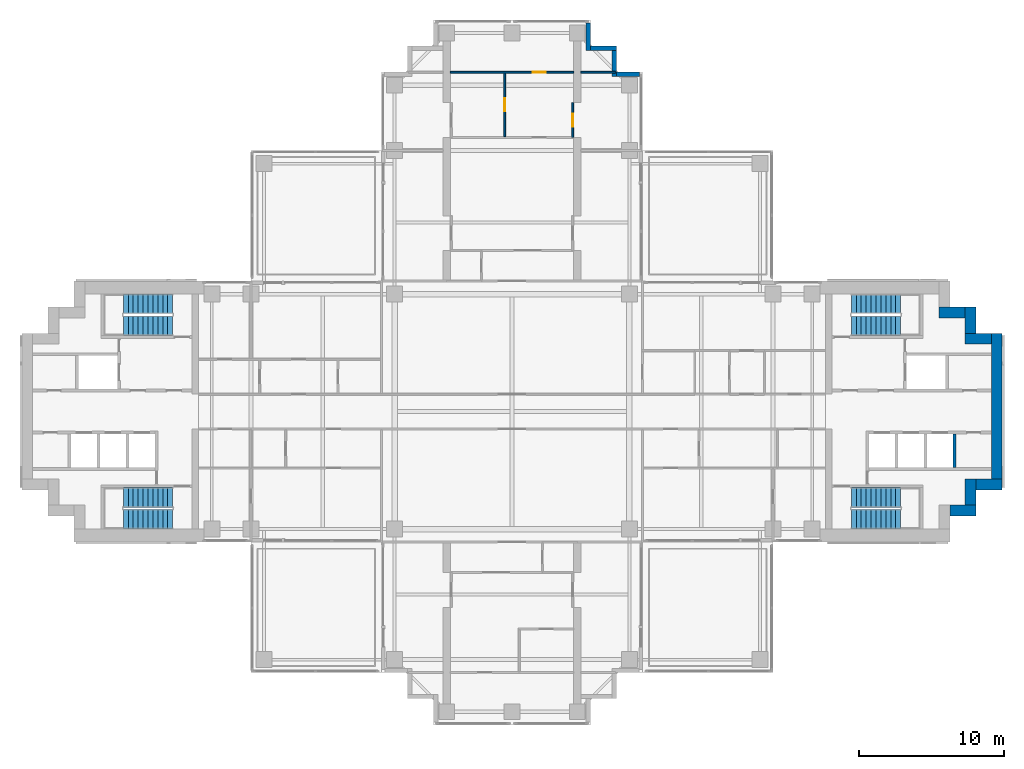
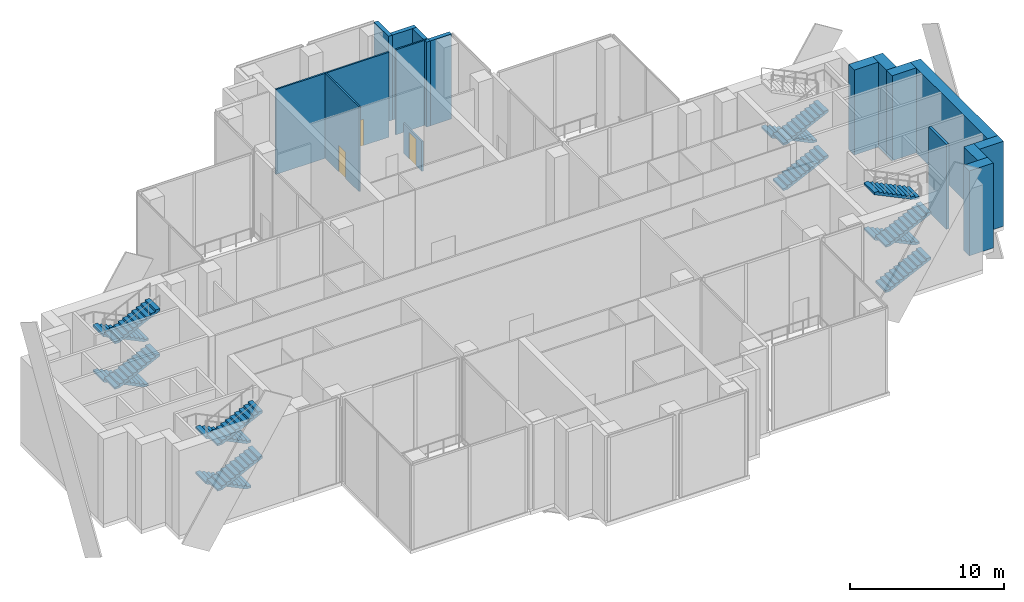
# One storey, part 13 of 17: 16 walls, 15 stair flights, 3 doors, 3 openings, 4 elements without a shape of their own.
"""IFC4 building model written with IfcOpenShell, lengths in metres."""

import ifcopenshell
import ifcopenshell.guid

model = None  # the IFC model being written
_history = None  # IfcOwnerHistory: only IFC2X3 demands one
_inside = {}  # id of a spatial element -> (the spatial element, [elements in it])
_under = {}  # id of a project, library or spatial element -> (it, [spatial elements below it])
_declared = {}  # id of a project -> (the project, [libraries it declares])
_typed = {}  # id of a type object -> (the type object, [elements of that type])
_made_of = {}  # id of a material, layer set ... -> (it, [elements and type objects made of it])


def new_model(schema):
    """Start an empty IFC model of exactly this schema.

    Asked for "IFC4X3", IfcOpenShell would pick the latest addendum, in which some entities
    have other attributes; the version numbers below select the first issue.
    IFC2X3 requires an IfcOwnerHistory on every rooted entity: one is made here for all.
    """
    global model, _history
    if schema == "IFC4X3":
        model = ifcopenshell.file(schema_version=(4, 3, 0, 0))
    else:
        model = ifcopenshell.file(schema=schema)
    _inside.clear()
    _under.clear()
    _declared.clear()
    _typed.clear()
    _made_of.clear()
    _history = None
    if model.schema == "IFC2X3":
        org = make("IfcOrganization", Name="unknown")
        user = make(
            "IfcPersonAndOrganization",
            ThePerson=make("IfcPerson", FamilyName="unknown"),
            TheOrganization=org,
        )
        app = make(
            "IfcApplication",
            ApplicationDeveloper=org,
            Version="unknown",
            ApplicationFullName="unknown",
            ApplicationIdentifier="unknown",
        )
        _history = make(
            "IfcOwnerHistory",
            OwningUser=user,
            OwningApplication=app,
            ChangeAction="ADDED",
            CreationDate=0,
        )
    return model


def make(cls, **values):
    """One entity of the class cls with the attributes given. An attribute that is None is left unset."""
    return model.create_entity(
        cls, **{name: value for name, value in values.items() if value is not None}
    )


def rooted(cls, **values):
    """An entity with a GlobalId (a new one), such as an element, a storey or a relation."""
    return make(cls, GlobalId=ifcopenshell.guid.new(), OwnerHistory=_history, **values)


def si_unit(unit_type, name, prefix=None):
    """IfcSIUnit, for example si_unit("LENGTHUNIT", "METRE", prefix="MILLI")."""
    return make("IfcSIUnit", UnitType=unit_type, Prefix=prefix, Name=name)


def assignment(units):
    """IfcUnitAssignment: the units of a project."""
    return None if units is None else make("IfcUnitAssignment", Units=units)


def point(xyz):
    """IfcCartesianPoint."""
    return None if xyz is None else make("IfcCartesianPoint", Coordinates=xyz)


def direction(xyz):
    """IfcDirection."""
    return None if xyz is None else make("IfcDirection", DirectionRatios=xyz)


def frame(location, z_axis=None, x_axis=None):
    """IfcAxis2Placement3D, a coordinate frame: its origin and axes. An axis left out is left unset."""
    return make(
        "IfcAxis2Placement3D",
        Location=point(location),
        Axis=direction(z_axis),
        RefDirection=direction(x_axis),
    )


def frame_2d(location, x_axis=None):
    """IfcAxis2Placement2D, a coordinate frame in the plane: its origin and x axis."""
    return make(
        "IfcAxis2Placement2D", Location=point(location), RefDirection=direction(x_axis)
    )


def origin():
    """The frame at (0, 0, 0) with its axes left unset."""
    return frame((0.0, 0.0, 0.0))


def place(relative_to, where):
    """IfcLocalPlacement: puts the frame where relative to a parent placement (None: the world)."""
    return make(
        "IfcLocalPlacement", PlacementRelTo=relative_to, RelativePlacement=where
    )


def context(
    kind, dimensions, precision=None, world=None, true_north=None, identifier=None
):
    """IfcGeometricRepresentationContext, for example the 3D "Model" context."""
    return make(
        "IfcGeometricRepresentationContext",
        ContextIdentifier=identifier,
        ContextType=kind,
        CoordinateSpaceDimension=dimensions,
        Precision=precision,
        WorldCoordinateSystem=world,
        TrueNorth=true_north,
    )


def subcontext(parent, identifier, kind, view, scale=None):
    """IfcGeometricRepresentationSubContext, for example "Body" below "Model"."""
    return make(
        "IfcGeometricRepresentationSubContext",
        ContextIdentifier=identifier,
        ContextType=kind,
        ParentContext=parent,
        TargetScale=scale,
        TargetView=view,
    )


def project(units=None, contexts=None):
    """IfcProject with its units and contexts."""
    return rooted(
        "IfcProject",
        Name="project",
        RepresentationContexts=contexts,
        UnitsInContext=assignment(units),
    )


def spatial(cls, under=None, at=None, **own):
    """A site, building, storey or space (cls), placed at a placement, below another one or the project."""
    s = rooted(cls, ObjectPlacement=at, **own)
    if under is not None:
        _under.setdefault(under.id(), (under, []))[1].append(s)
    return s


def polyline(points):
    """IfcPolyline through the points."""
    return make("IfcPolyline", Points=[point(p) for p in points])


def profile(cls, at=None, kind="AREA", **sizes):
    """A parametric profile (cls). Its sizes go by their IFC names, for example OverallWidth=200.0."""
    return make(cls, ProfileType=kind, Position=at, **sizes)


def rectangle(**sizes):
    """IfcRectangleProfileDef."""
    return profile("IfcRectangleProfileDef", **sizes)


def outline(outer, holes=None, kind="AREA"):
    """IfcArbitraryClosedProfileDef: a profile drawn as a closed curve; with holes, ...WithVoids."""
    if holes is None:
        return make("IfcArbitraryClosedProfileDef", ProfileType=kind, OuterCurve=outer)
    return make(
        "IfcArbitraryProfileDefWithVoids",
        ProfileType=kind,
        OuterCurve=outer,
        InnerCurves=holes,
    )


def extrude(swept, where, along, depth):
    """IfcExtrudedAreaSolid: the profile swept, set in the frame where, extruded along a direction by depth."""
    return make(
        "IfcExtrudedAreaSolid",
        SweptArea=swept,
        Position=where,
        ExtrudedDirection=direction(along),
        Depth=depth,
    )


def shape(context_of_items, identifier, shape_type, items):
    """IfcShapeRepresentation: the items that make up one representation, for example the "Body"."""
    return make(
        "IfcShapeRepresentation",
        ContextOfItems=context_of_items,
        RepresentationIdentifier=identifier,
        RepresentationType=shape_type,
        Items=items,
    )


def material(Name=None, Category=None):
    """IfcMaterial."""
    return make("IfcMaterial", Name=Name, Category=Category)


def layer(
    of_material, thickness, ventilated=None, Name=None, Category=None, Priority=None
):
    """IfcMaterialLayer: one layer of a wall or slab, of a material (None: an air gap)."""
    return make(
        "IfcMaterialLayer",
        Material=of_material,
        LayerThickness=thickness,
        IsVentilated=ventilated,
        Name=Name,
        Category=Category,
        Priority=Priority,
    )


def layer_set(layers, Name=None):
    """IfcMaterialLayerSet."""
    return make("IfcMaterialLayerSet", MaterialLayers=layers, LayerSetName=Name)


def made_of(thing, what):
    """Note that an element or type object is made of a material, layer set ...; save() writes the relation."""
    if what is not None:
        _made_of.setdefault(what.id(), (what, []))[1].append(thing)
    return thing


def type_object(cls, material=None, **own):
    """A type object (cls), such as IfcWallType, which elements share."""
    return made_of(rooted(cls, **own), material)


def element(
    cls,
    number,
    at=None,
    inside=None,
    cuts=None,
    type_object=None,
    material=None,
    context=None,
    identifier="Body",
    shape_type=None,
    held_by="IfcProductDefinitionShape",
    body=None,
    shapes=None,
    **own,
):
    """One element of the class cls, such as IfcWall. Its Tag is "e" and its number.

    at: its placement. inside: the storey or other place that contains it. cuts: it is an
    opening in that element (IfcRelVoidsElement). A single representation is given by context,
    identifier, shape_type and body (its items); several are given by shapes. held_by: the class
    of the entity that holds the representations. save() writes the other relations.
    """
    e = rooted(cls, Tag="e%d" % number, ObjectPlacement=at, **own)
    if body is not None:
        shapes = [shape(context, identifier, shape_type, body)]
    if shapes is not None:
        e.Representation = make(held_by, Representations=shapes)
    if inside is not None:
        _inside.setdefault(inside.id(), (inside, []))[1].append(e)
    if cuts is not None:
        rooted(
            "IfcRelVoidsElement", RelatingBuildingElement=cuts, RelatedOpeningElement=e
        )
    if type_object is not None:
        _typed.setdefault(type_object.id(), (type_object, []))[1].append(e)
    return made_of(e, material)


def fill(opening, filler):
    """IfcRelFillsElement: the door or window that sits in an opening."""
    return rooted(
        "IfcRelFillsElement",
        RelatingOpeningElement=opening,
        RelatedBuildingElement=filler,
    )


def aggregate(whole, parts):
    """IfcRelAggregates: a whole, such as a stair, and the parts it consists of."""
    return rooted("IfcRelAggregates", RelatingObject=whole, RelatedObjects=parts)


def save(model, path):
    """Write the relations noted so far, then the file.

    IfcRelAggregates (storeys below a building ...), IfcRelContainedInSpatialStructure (elements
    in a storey), IfcRelDefinesByType, IfcRelAssociatesMaterial and IfcRelDeclares: one each for
    every whole, place, type object, material and project.
    """
    for whole, parts in _under.values():
        aggregate(whole, parts)
    for where, things in _inside.values():
        rooted(
            "IfcRelContainedInSpatialStructure",
            RelatedElements=things,
            RelatingStructure=where,
        )
    for kind, things in _typed.values():
        rooted("IfcRelDefinesByType", RelatedObjects=things, RelatingType=kind)
    for what, things in _made_of.values():
        rooted("IfcRelAssociatesMaterial", RelatedObjects=things, RelatingMaterial=what)
    for by, libraries in _declared.values():
        rooted("IfcRelDeclares", RelatingContext=by, RelatedDefinitions=libraries)
    model.write(path)


model = new_model("IFC4")

# Units and contexts
model_context = context("Model", 3, precision=1e-05, world=origin(), true_north=direction((0.0, 1.0)))
body_context = subcontext(model_context, "Body", "Model", "MODEL_VIEW")
ifc_project = project(units=[si_unit("LENGTHUNIT", "METRE"), si_unit("AREAUNIT", "SQUARE_METRE"), si_unit("VOLUMEUNIT", "CUBIC_METRE"), si_unit("PLANEANGLEUNIT", "RADIAN"), si_unit("MASSUNIT", "GRAM", prefix="KILO")], contexts=[model_context])

# Site, building, storey
site_placement = place(None, origin())
site = spatial("IfcSite", under=ifc_project, at=site_placement, CompositionType="ELEMENT")
building_placement = place(site_placement, origin())
building = spatial("IfcBuilding", under=site, at=building_placement, Name="Perihelion Cross Residences", CompositionType="ELEMENT")
storey_placement = place(building_placement, frame((0.0, 0.0, 154.89990234375)))
storey = spatial("IfcBuildingStorey", under=building, at=storey_placement, Name="L38", CompositionType="ELEMENT", Elevation=154.89990234375)

# Walls
ifc_material_1 = material(Name="Concrete C30/37, bronze-clad", Category="concrete")
ifc_layer_1 = layer(ifc_material_1, 0.300048828125)
ifc_layer_set_1 = layer_set([ifc_layer_1], Name="Bronze-clad serration wall 300")
wall_type_1 = type_object("IfcWallType", Name="Bronze-clad serration wall 300", PredefinedType="SOLIDWALL", material=ifc_layer_set_1)
wall_1_placement = place(storey_placement, frame((8.7900390625, 23.25, 0.0), z_axis=(0.0, 0.0, 1.0), x_axis=(-1.0, 0.0, 0.0)))
element("IfcWall", 1, at=wall_1_placement, inside=storey, type_object=wall_type_1, Name="Wall SR1 L38 north corner north-east 1", PredefinedType="SOLIDWALL", context=body_context, shape_type="SweptSolid", body=[
    extrude(rectangle(XDim=1.590087890625, YDim=0.300048828125, at=frame_2d((0.794921875, 0.0))), origin(), (0.0, 0.0, 1.0), 6.75),
])
wall_2_placement = place(storey_placement, frame((7.050048828125, 23.10009765625, 0.0), z_axis=(0.0, 0.0, 1.0), x_axis=(0.0, 1.0, 0.0)))
element("IfcWall", 2, at=wall_2_placement, inside=storey, type_object=wall_type_1, Name="Wall SR1 L38 north corner north-east 2", PredefinedType="SOLIDWALL", context=body_context, shape_type="SweptSolid", body=[
    extrude(rectangle(XDim=1.7998046875, YDim=0.300048828125, at=frame_2d((0.89990234375, 0.0))), origin(), (0.0, 0.0, 1.0), 6.75),
])
wall_3_placement = place(storey_placement, frame((7.199951171875, 25.050048828125, 0.0), z_axis=(0.0, 0.0, 1.0), x_axis=(-1.0, 0.0, 0.0)))
element("IfcWall", 3, at=wall_3_placement, inside=storey, type_object=wall_type_1, Name="Wall SR1 L38 north corner north-east 3", PredefinedType="SOLIDWALL", context=body_context, shape_type="SweptSolid", body=[
    extrude(rectangle(XDim=1.800048828125, YDim=0.300048828125, at=frame_2d((0.89990234375, 0.0))), origin(), (0.0, 0.0, 1.0), 6.75),
])
wall_4_placement = place(storey_placement, frame((5.25, 24.89990234375, 0.0), z_axis=(0.0, 0.0, 1.0), x_axis=(0.0, 1.0, 0.0)))
element("IfcWall", 4, at=wall_4_placement, inside=storey, type_object=wall_type_1, Name="Wall SR1 L38 north corner north-east 4", PredefinedType="SOLIDWALL", context=body_context, shape_type="SweptSolid", body=[
    extrude(rectangle(XDim=1.89013671875, YDim=0.300048828125, at=frame_2d((0.945068359375, 0.0))), origin(), (0.0, 0.0, 1.0), 6.75),
])
ifc_material_2 = material(Name="Concrete C60/75", Category="concrete")
ifc_layer_2 = layer(ifc_material_2, 0.75)
ifc_layer_set_2 = layer_set([ifc_layer_2], Name="Core wall, outer 750")
wall_type_2 = type_object("IfcWallType", Name="Core wall, outer 750", PredefinedType="SHEAR", material=ifc_layer_set_2)
for number, where, z_axis, x_axis, name in (
    (5, (30.199951171875, -6.824951171875, 0.0), (0.0, 0.0, 1.0), (1.0, 0.0, 0.0), "East core core wall, outer"),
    (6, (31.625, -6.449951171875, 0.0), (0.0, 0.0, 1.0), (0.0, 1.0, 0.0), "East core core wall, outer"),
    (7, (32.0, -5.02490234375, 0.0), (0.0, 0.0, 1.0), (1.0, 0.0, 0.0), "East core core wall, outer"),
):
    element("IfcWall", number, at=place(storey_placement, frame(where, z_axis=z_axis, x_axis=x_axis)), inside=storey, type_object=wall_type_2, Name=name, PredefinedType="SHEAR", context=body_context, shape_type="SweptSolid", body=[
        extrude(rectangle(XDim=1.800048828125, YDim=0.75, at=frame_2d((0.89990234375, 0.0))), origin(), (0.0, 0.0, 1.0), 6.75),
    ])
wall_5_placement = place(storey_placement, frame((33.425048828125, -4.64990234375, 0.0), z_axis=(0.0, 0.0, 1.0), x_axis=(0.0, 1.0, 0.0)))
element("IfcWall", 8, at=wall_5_placement, inside=storey, type_object=wall_type_2, Name="East core core wall, outer", PredefinedType="SHEAR", context=body_context, shape_type="SweptSolid", body=[
    extrude(rectangle(XDim=10.0498046875, YDim=0.75, at=frame_2d((5.02490234375, 0.0))), origin(), (0.0, 0.0, 1.0), 6.75),
])
for number, where, z_axis, x_axis, name in (
    (9, (31.25, 5.02490234375, 0.0), (0.0, 0.0, 1.0), (1.0, 0.0, 0.0), "East core core wall, outer"),
    (10, (31.625, 5.39990234375, 0.0), (0.0, 0.0, 1.0), (0.0, 1.0, 0.0), "East core core wall, outer"),
    (11, (29.449951171875, 6.824951171875, 0.0), (0.0, 0.0, 1.0), (1.0, 0.0, 0.0), "East core core wall, outer"),
):
    element("IfcWall", number, at=place(storey_placement, frame(where, z_axis=z_axis, x_axis=x_axis)), inside=storey, type_object=wall_type_2, Name=name, PredefinedType="SHEAR", context=body_context, shape_type="SweptSolid", body=[
        extrude(rectangle(XDim=1.800048828125, YDim=0.75, at=frame_2d((0.89990234375, 0.0))), origin(), (0.0, 0.0, 1.0), 6.75),
    ])

# Wall, opening, door
ifc_material_3 = material(Name="Plasterboard partition")
ifc_layer_3 = layer(ifc_material_3, 0.1201171875)
ifc_layer_set_3 = layer_set([ifc_layer_3], Name="Infill panel 120")
wall_type_3 = type_object("IfcWallType", Name="Infill panel 120", PredefinedType="PARTITIONING", material=ifc_layer_set_3)
wall_6_placement = place(storey_placement, frame((4.18994140625, 18.89990234375, 0.0), z_axis=(0.0, 0.0, 1.0), x_axis=(0.0, 1.0, 0.0)))
wall_6 = element("IfcWall", 12, at=wall_6_placement, inside=storey, type_object=wall_type_3, Name="Partition L38 WI02", PredefinedType="PARTITIONING", context=body_context, shape_type="SweptSolid", body=[
    extrude(rectangle(XDim=2.400146484375, YDim=0.1201171875, at=frame_2d((1.2001953125, 0.0))), origin(), (0.0, 0.0, 1.0), 2.400146484375),
])
opening_1_placement = place(wall_6_placement, frame((0.75, 0.0, 0.0)))
opening_1 = element("IfcOpeningElement", 13, at=opening_1_placement, cuts=wall_6, Name="Opening L38.A35", PredefinedType="OPENING", context=body_context, shape_type="SweptSolid", body=[
    extrude(rectangle(XDim=0.89990234375, YDim=2.10009765625, at=frame_2d((0.449951171875, 1.050048828125))), frame((0.0, 0.070068359375, 0.0), z_axis=(0.0, -1.0, 0.0), x_axis=(1.0, 0.0, 0.0)), (0.0, 0.0, 1.0), 0.14013671875),
])
ifc_material_4 = material(Name="Timber door leaf", Category="wood")
door_type = type_object("IfcDoorType", Name="Interior room door 900 x 2100", OperationType="SINGLE_SWING_LEFT", PredefinedType="DOOR", material=ifc_material_4)
door_1_placement = place(opening_1_placement, origin())
door_1 = element("IfcDoor", 14, at=door_1_placement, inside=storey, type_object=door_type, Name="Door L38.A35", OperationType="SINGLE_SWING_LEFT", OverallHeight=2.10009765625, OverallWidth=0.89990234375, PredefinedType="DOOR", context=body_context, shape_type="SweptSolid", body=[
    extrude(rectangle(XDim=0.89990234375, YDim=2.10009765625, at=frame_2d((0.449951171875, 1.050048828125))), frame((0.0, 0.02490234375, 0.0), z_axis=(0.0, -1.0, 0.0), x_axis=(1.0, 0.0, 0.0)), (0.0, 0.0, 1.0), 0.050048828125),
])
fill(opening_1, door_1)

ifc_material_5 = material(Name="Plasterboard partition")
ifc_layer_4 = layer(ifc_material_5, 0.1201171875)
ifc_layer_set_4 = layer_set([ifc_layer_4], Name="Partition wall 120")
wall_type_4 = type_object("IfcWallType", Name="Partition wall 120", PredefinedType="PARTITIONING", material=ifc_layer_set_4)
wall_7_placement = place(storey_placement, frame((-0.5, 18.9599609375, 0.0), z_axis=(0.0, 0.0, 1.0), x_axis=(0.0, 1.0, 0.0)))
wall_7 = element("IfcWall", 15, at=wall_7_placement, inside=storey, type_object=wall_type_4, Name="Partition L38 W043", PredefinedType="PARTITIONING", context=body_context, shape_type="SweptSolid", body=[
    extrude(rectangle(XDim=4.380126953125, YDim=0.1201171875, at=frame_2d((2.18994140625, 0.0))), origin(), (0.0, 0.0, 1.0), 6.75),
])
opening_2_placement = place(wall_7_placement, frame((1.739990234375, 0.0, 0.0)))
opening_2 = element("IfcOpeningElement", 16, at=opening_2_placement, cuts=wall_7, Name="Opening L38.A27", PredefinedType="OPENING", context=body_context, shape_type="SweptSolid", body=[
    extrude(rectangle(XDim=0.89990234375, YDim=2.10009765625, at=frame_2d((0.449951171875, 1.050048828125))), frame((0.0, 0.070068359375, 0.0), z_axis=(0.0, -1.0, 0.0), x_axis=(1.0, 0.0, 0.0)), (0.0, 0.0, 1.0), 0.14013671875),
])
door_2_placement = place(opening_2_placement, origin())
door_2 = element("IfcDoor", 17, at=door_2_placement, inside=storey, type_object=door_type, Name="Door L38.A27", OperationType="SINGLE_SWING_LEFT", OverallHeight=2.10009765625, OverallWidth=0.89990234375, PredefinedType="DOOR", context=body_context, shape_type="SweptSolid", body=[
    extrude(rectangle(XDim=0.89990234375, YDim=2.10009765625, at=frame_2d((0.449951171875, 1.050048828125))), frame((0.0, 0.02490234375, 0.0), z_axis=(0.0, -1.0, 0.0), x_axis=(1.0, 0.0, 0.0)), (0.0, 0.0, 1.0), 0.050048828125),
])
fill(opening_2, door_2)

wall_8_placement = place(storey_placement, frame((-4.25, 23.39990234375, 0.0), z_axis=(0.0, 0.0, 1.0), x_axis=(1.0, 0.0, 0.0)))
wall_8 = element("IfcWall", 18, at=wall_8_placement, inside=storey, type_object=wall_type_4, Name="Partition L38 W044", PredefinedType="PARTITIONING", context=body_context, shape_type="SweptSolid", body=[
    extrude(rectangle(XDim=8.5, YDim=0.1201171875, at=frame_2d((4.25, 0.0))), origin(), (0.0, 0.0, 1.0), 6.75),
])
opening_3_placement = place(wall_8_placement, frame((5.675048828125, 0.0, 0.0)))
opening_3 = element("IfcOpeningElement", 19, at=opening_3_placement, cuts=wall_8, Name="Opening L38.A28", PredefinedType="OPENING", context=body_context, shape_type="SweptSolid", body=[
    extrude(rectangle(XDim=0.89990234375, YDim=2.10009765625, at=frame_2d((0.449951171875, 1.050048828125))), frame((0.0, 0.070068359375, 0.0), z_axis=(0.0, -1.0, 0.0), x_axis=(1.0, 0.0, 0.0)), (0.0, 0.0, 1.0), 0.14013671875),
])
door_3_placement = place(opening_3_placement, origin())
door_3 = element("IfcDoor", 20, at=door_3_placement, inside=storey, type_object=door_type, Name="Door L38.A28", OperationType="SINGLE_SWING_RIGHT", OverallHeight=2.10009765625, OverallWidth=0.89990234375, PredefinedType="DOOR", context=body_context, shape_type="SweptSolid", body=[
    extrude(rectangle(XDim=0.89990234375, YDim=2.10009765625, at=frame_2d((0.449951171875, 1.050048828125))), frame((0.0, 0.02490234375, 0.0), z_axis=(0.0, -1.0, 0.0), x_axis=(1.0, 0.0, 0.0)), (0.0, 0.0, 1.0), 0.050048828125),
])
fill(opening_3, door_3)

# Walls
wall_9_placement = place(storey_placement, frame((4.75, 23.39990234375, 0.0), z_axis=(0.0, 0.0, 1.0), x_axis=(1.0, 0.0, 0.0)))
element("IfcWall", 21, at=wall_9_placement, inside=storey, type_object=wall_type_4, Name="Partition L38 W046", PredefinedType="PARTITIONING", context=body_context, shape_type="SweptSolid", body=[
    extrude(rectangle(XDim=2.3701171875, YDim=0.1201171875, at=frame_2d((1.18505859375, 0.0))), origin(), (0.0, 0.0, 1.0), 6.75),
])
ifc_material_6 = material(Name="Concrete C50/60", Category="concrete")
ifc_layer_5 = layer(ifc_material_6, 0.199951171875)
ifc_layer_set_5 = layer_set([ifc_layer_5], Name="Shaft wall 200")
wall_type_5 = type_object("IfcWallType", Name="Shaft wall 200", PredefinedType="SOLIDWALL", material=ifc_layer_set_5)
wall_10_placement = place(storey_placement, frame((30.5, -3.85009765625, 0.0), z_axis=(0.0, 0.0, 1.0), x_axis=(0.0, 1.0, 0.0)))
element("IfcWall", 22, at=wall_10_placement, inside=storey, type_object=wall_type_5, Name="East core shaft wall", PredefinedType="SOLIDWALL", context=body_context, shape_type="SweptSolid", body=[
    extrude(rectangle(XDim=2.300048828125, YDim=0.199951171875, at=frame_2d((1.14990234375, 0.0))), origin(), (0.0, 0.0, 1.0), 6.75),
])

# Stair, stair flights
ifc_material_7 = material(Name="Concrete C40/50", Category="concrete")
stair_type = type_object("IfcStairType", Name="Exit stair, half-turn", PredefinedType="HALF_TURN_STAIR", material=ifc_material_7)
stair_1_placement = place(storey_placement, origin())
stair_1 = element("IfcStair", 23, at=stair_1_placement, inside=storey, type_object=stair_type, Name="L38 East core exit stair 1", PredefinedType="HALF_TURN_STAIR")
ifc_material_8 = material(Name="Concrete C40/50", Category="concrete")
stair_flight_type = type_object("IfcStairFlightType", Name="Exit stair flight", PredefinedType="STRAIGHT", material=ifc_material_8)
stair_flight_1_placement = place(storey_placement, frame((23.39990234375, 5.925048828125, 0.0), z_axis=(0.0, 0.0, 1.0), x_axis=(1.0, 0.0, 0.0)))
stair_flight_1 = element("IfcStairFlight", 24, at=stair_flight_1_placement, type_object=stair_flight_type, Name="ST-E1 flight 1", NumberOfRisers=11, NumberOfTreads=10, PredefinedType="STRAIGHT", RiserHeight=0.163636364, TreadLength=0.34, context=body_context, shape_type="SweptSolid", body=[
    extrude(outline(polyline([(0.0, 0.0), (0.0, 0.16357421875), (0.340087890625, 0.16357421875), (0.340087890625, 0.327392578125), (0.679931640625, 0.327392578125), (0.679931640625, 0.490966796875), (1.02001953125, 0.490966796875), (1.02001953125, 0.654541015625), (1.360107421875, 0.654541015625), (1.360107421875, 0.818115234375), (1.699951171875, 0.818115234375), (1.699951171875, 0.98193359375), (2.0400390625, 0.98193359375), (2.0400390625, 1.1455078125), (2.3798828125, 1.1455078125), (2.3798828125, 1.30908203125), (2.719970703125, 1.30908203125), (2.719970703125, 1.47265625), (3.06005859375, 1.47265625), (3.06005859375, 1.636474609375), (3.39990234375, 1.636474609375), (3.39990234375, 1.800048828125), (3.39990234375, 1.469970703125), (0.345703125, 0.0), (0.0, 0.0)])), frame((0.0, 0.675048828125, 0.0), z_axis=(0.0, -1.0, 0.0), x_axis=(1.0, 0.0, 0.0)), (0.0, 0.0, 1.0), 1.35009765625),
])
stair_flight_2_placement = place(storey_placement, frame((26.800048828125, 7.425048828125, 1.800048828125), z_axis=(0.0, 0.0, 1.0), x_axis=(-1.0, 0.0, 0.0)))
stair_flight_2 = element("IfcStairFlight", 25, at=stair_flight_2_placement, type_object=stair_flight_type, Name="ST-E1 flight 2", NumberOfRisers=11, NumberOfTreads=10, PredefinedType="STRAIGHT", RiserHeight=0.163636364, TreadLength=0.34, context=body_context, shape_type="SweptSolid", body=[
    extrude(outline(polyline([(0.0, 0.0), (0.0, 0.16357421875), (0.340087890625, 0.16357421875), (0.340087890625, 0.327392578125), (0.679931640625, 0.327392578125), (0.679931640625, 0.490966796875), (1.02001953125, 0.490966796875), (1.02001953125, 0.654541015625), (1.360107421875, 0.654541015625), (1.360107421875, 0.818115234375), (1.699951171875, 0.818115234375), (1.699951171875, 0.98193359375), (2.0400390625, 0.98193359375), (2.0400390625, 1.1455078125), (2.3798828125, 1.1455078125), (2.3798828125, 1.30908203125), (2.719970703125, 1.30908203125), (2.719970703125, 1.47265625), (3.06005859375, 1.47265625), (3.06005859375, 1.636474609375), (3.39990234375, 1.636474609375), (3.39990234375, 1.800048828125), (3.39990234375, 1.469970703125), (0.345703125, 0.0), (0.0, 0.0)])), frame((0.0, 0.675048828125, 0.0), z_axis=(0.0, -1.0, 0.0), x_axis=(1.0, 0.0, 0.0)), (0.0, 0.0, 1.0), 1.35009765625),
])
stair_flight_3_placement = place(storey_placement, frame((23.39990234375, 5.925048828125, 3.60009765625), z_axis=(0.0, 0.0, 1.0), x_axis=(1.0, 0.0, 0.0)))
stair_flight_3 = element("IfcStairFlight", 26, at=stair_flight_3_placement, type_object=stair_flight_type, Name="ST-E1 flight 3", NumberOfRisers=11, NumberOfTreads=10, PredefinedType="STRAIGHT", RiserHeight=0.163636364, TreadLength=0.34, context=body_context, shape_type="SweptSolid", body=[
    extrude(outline(polyline([(0.0, 0.0), (0.0, 0.16357421875), (0.340087890625, 0.16357421875), (0.340087890625, 0.327392578125), (0.679931640625, 0.327392578125), (0.679931640625, 0.490966796875), (1.02001953125, 0.490966796875), (1.02001953125, 0.654541015625), (1.360107421875, 0.654541015625), (1.360107421875, 0.818115234375), (1.699951171875, 0.818115234375), (1.699951171875, 0.98193359375), (2.0400390625, 0.98193359375), (2.0400390625, 1.1455078125), (2.3798828125, 1.1455078125), (2.3798828125, 1.30908203125), (2.719970703125, 1.30908203125), (2.719970703125, 1.47265625), (3.06005859375, 1.47265625), (3.06005859375, 1.636474609375), (3.39990234375, 1.636474609375), (3.39990234375, 1.800048828125), (3.39990234375, 1.469970703125), (0.345703125, 0.0), (0.0, 0.0)])), frame((0.0, 0.675048828125, 0.0), z_axis=(0.0, -1.0, 0.0), x_axis=(1.0, 0.0, 0.0)), (0.0, 0.0, 1.0), 1.35009765625),
])
aggregate(stair_1, [stair_flight_1, stair_flight_2, stair_flight_3])

stair_2_placement = place(storey_placement, origin())
stair_2 = element("IfcStair", 27, at=stair_2_placement, inside=storey, type_object=stair_type, Name="L38 East core exit stair 2", PredefinedType="HALF_TURN_STAIR")
stair_flight_4_placement = place(storey_placement, frame((23.39990234375, -7.425048828125, 0.0), z_axis=(0.0, 0.0, 1.0), x_axis=(1.0, 0.0, 0.0)))
stair_flight_4 = element("IfcStairFlight", 28, at=stair_flight_4_placement, type_object=stair_flight_type, Name="ST-E2 flight 1", NumberOfRisers=11, NumberOfTreads=10, PredefinedType="STRAIGHT", RiserHeight=0.163636364, TreadLength=0.34, context=body_context, shape_type="SweptSolid", body=[
    extrude(outline(polyline([(0.0, 0.0), (0.0, 0.16357421875), (0.340087890625, 0.16357421875), (0.340087890625, 0.327392578125), (0.679931640625, 0.327392578125), (0.679931640625, 0.490966796875), (1.02001953125, 0.490966796875), (1.02001953125, 0.654541015625), (1.360107421875, 0.654541015625), (1.360107421875, 0.818115234375), (1.699951171875, 0.818115234375), (1.699951171875, 0.98193359375), (2.0400390625, 0.98193359375), (2.0400390625, 1.1455078125), (2.3798828125, 1.1455078125), (2.3798828125, 1.30908203125), (2.719970703125, 1.30908203125), (2.719970703125, 1.47265625), (3.06005859375, 1.47265625), (3.06005859375, 1.636474609375), (3.39990234375, 1.636474609375), (3.39990234375, 1.800048828125), (3.39990234375, 1.469970703125), (0.345703125, 0.0), (0.0, 0.0)])), frame((0.0, 0.675048828125, 0.0), z_axis=(0.0, -1.0, 0.0), x_axis=(1.0, 0.0, 0.0)), (0.0, 0.0, 1.0), 1.35009765625),
])
stair_flight_5_placement = place(storey_placement, frame((26.800048828125, -5.925048828125, 1.800048828125), z_axis=(0.0, 0.0, 1.0), x_axis=(-1.0, 0.0, 0.0)))
stair_flight_5 = element("IfcStairFlight", 29, at=stair_flight_5_placement, type_object=stair_flight_type, Name="ST-E2 flight 2", NumberOfRisers=11, NumberOfTreads=10, PredefinedType="STRAIGHT", RiserHeight=0.163636364, TreadLength=0.34, context=body_context, shape_type="SweptSolid", body=[
    extrude(outline(polyline([(0.0, 0.0), (0.0, 0.16357421875), (0.340087890625, 0.16357421875), (0.340087890625, 0.327392578125), (0.679931640625, 0.327392578125), (0.679931640625, 0.490966796875), (1.02001953125, 0.490966796875), (1.02001953125, 0.654541015625), (1.360107421875, 0.654541015625), (1.360107421875, 0.818115234375), (1.699951171875, 0.818115234375), (1.699951171875, 0.98193359375), (2.0400390625, 0.98193359375), (2.0400390625, 1.1455078125), (2.3798828125, 1.1455078125), (2.3798828125, 1.30908203125), (2.719970703125, 1.30908203125), (2.719970703125, 1.47265625), (3.06005859375, 1.47265625), (3.06005859375, 1.636474609375), (3.39990234375, 1.636474609375), (3.39990234375, 1.800048828125), (3.39990234375, 1.469970703125), (0.345703125, 0.0), (0.0, 0.0)])), frame((0.0, 0.675048828125, 0.0), z_axis=(0.0, -1.0, 0.0), x_axis=(1.0, 0.0, 0.0)), (0.0, 0.0, 1.0), 1.35009765625),
])
stair_flight_6_placement = place(storey_placement, frame((23.39990234375, -7.425048828125, 3.60009765625), z_axis=(0.0, 0.0, 1.0), x_axis=(1.0, 0.0, 0.0)))
stair_flight_6 = element("IfcStairFlight", 30, at=stair_flight_6_placement, type_object=stair_flight_type, Name="ST-E2 flight 3", NumberOfRisers=11, NumberOfTreads=10, PredefinedType="STRAIGHT", RiserHeight=0.163636364, TreadLength=0.34, context=body_context, shape_type="SweptSolid", body=[
    extrude(outline(polyline([(0.0, 0.0), (0.0, 0.16357421875), (0.340087890625, 0.16357421875), (0.340087890625, 0.327392578125), (0.679931640625, 0.327392578125), (0.679931640625, 0.490966796875), (1.02001953125, 0.490966796875), (1.02001953125, 0.654541015625), (1.360107421875, 0.654541015625), (1.360107421875, 0.818115234375), (1.699951171875, 0.818115234375), (1.699951171875, 0.98193359375), (2.0400390625, 0.98193359375), (2.0400390625, 1.1455078125), (2.3798828125, 1.1455078125), (2.3798828125, 1.30908203125), (2.719970703125, 1.30908203125), (2.719970703125, 1.47265625), (3.06005859375, 1.47265625), (3.06005859375, 1.636474609375), (3.39990234375, 1.636474609375), (3.39990234375, 1.800048828125), (3.39990234375, 1.469970703125), (0.345703125, 0.0), (0.0, 0.0)])), frame((0.0, 0.675048828125, 0.0), z_axis=(0.0, -1.0, 0.0), x_axis=(1.0, 0.0, 0.0)), (0.0, 0.0, 1.0), 1.35009765625),
])
stair_flight_7_placement = place(storey_placement, frame((26.800048828125, -5.925048828125, 5.400146484375), z_axis=(0.0, 0.0, 1.0), x_axis=(-1.0, 0.0, 0.0)))
stair_flight_7 = element("IfcStairFlight", 31, at=stair_flight_7_placement, type_object=stair_flight_type, Name="ST-E2 flight 4", NumberOfRisers=11, NumberOfTreads=10, PredefinedType="STRAIGHT", RiserHeight=0.163636364, TreadLength=0.34, context=body_context, shape_type="SweptSolid", body=[
    extrude(outline(polyline([(0.0, 0.0), (0.0, 0.16357421875), (0.340087890625, 0.16357421875), (0.340087890625, 0.327392578125), (0.679931640625, 0.327392578125), (0.679931640625, 0.490966796875), (1.02001953125, 0.490966796875), (1.02001953125, 0.654541015625), (1.360107421875, 0.654541015625), (1.360107421875, 0.818115234375), (1.699951171875, 0.818115234375), (1.699951171875, 0.98193359375), (2.0400390625, 0.98193359375), (2.0400390625, 1.1455078125), (2.3798828125, 1.1455078125), (2.3798828125, 1.30908203125), (2.719970703125, 1.30908203125), (2.719970703125, 1.47265625), (3.06005859375, 1.47265625), (3.06005859375, 1.636474609375), (3.39990234375, 1.636474609375), (3.39990234375, 1.800048828125), (3.39990234375, 1.469970703125), (0.345703125, 0.0), (0.0, 0.0)])), frame((0.0, 0.675048828125, 0.0), z_axis=(0.0, -1.0, 0.0), x_axis=(1.0, 0.0, 0.0)), (0.0, 0.0, 1.0), 1.35009765625),
])
aggregate(stair_2, [stair_flight_4, stair_flight_5, stair_flight_6, stair_flight_7])

stair_3_placement = place(storey_placement, origin())
stair_3 = element("IfcStair", 32, at=stair_3_placement, inside=storey, type_object=stair_type, Name="L38 West core exit stair 1", PredefinedType="HALF_TURN_STAIR")
stair_flight_8_placement = place(storey_placement, frame((-23.39990234375, 7.425048828125, 0.0), z_axis=(0.0, 0.0, 1.0), x_axis=(-1.0, 0.0, 0.0)))
stair_flight_8 = element("IfcStairFlight", 33, at=stair_flight_8_placement, type_object=stair_flight_type, Name="ST-W1 flight 1", NumberOfRisers=11, NumberOfTreads=10, PredefinedType="STRAIGHT", RiserHeight=0.163636364, TreadLength=0.34, context=body_context, shape_type="SweptSolid", body=[
    extrude(outline(polyline([(0.0, 0.0), (0.0, 0.16357421875), (0.340087890625, 0.16357421875), (0.340087890625, 0.327392578125), (0.679931640625, 0.327392578125), (0.679931640625, 0.490966796875), (1.02001953125, 0.490966796875), (1.02001953125, 0.654541015625), (1.360107421875, 0.654541015625), (1.360107421875, 0.818115234375), (1.699951171875, 0.818115234375), (1.699951171875, 0.98193359375), (2.0400390625, 0.98193359375), (2.0400390625, 1.1455078125), (2.3798828125, 1.1455078125), (2.3798828125, 1.30908203125), (2.719970703125, 1.30908203125), (2.719970703125, 1.47265625), (3.06005859375, 1.47265625), (3.06005859375, 1.636474609375), (3.39990234375, 1.636474609375), (3.39990234375, 1.800048828125), (3.39990234375, 1.469970703125), (0.345703125, 0.0), (0.0, 0.0)])), frame((0.0, 0.675048828125, 0.0), z_axis=(0.0, -1.0, 0.0), x_axis=(1.0, 0.0, 0.0)), (0.0, 0.0, 1.0), 1.35009765625),
])
stair_flight_9_placement = place(storey_placement, frame((-26.800048828125, 5.925048828125, 1.800048828125), z_axis=(0.0, 0.0, 1.0), x_axis=(1.0, 0.0, 0.0)))
stair_flight_9 = element("IfcStairFlight", 34, at=stair_flight_9_placement, type_object=stair_flight_type, Name="ST-W1 flight 2", NumberOfRisers=11, NumberOfTreads=10, PredefinedType="STRAIGHT", RiserHeight=0.163636364, TreadLength=0.34, context=body_context, shape_type="SweptSolid", body=[
    extrude(outline(polyline([(0.0, 0.0), (0.0, 0.16357421875), (0.340087890625, 0.16357421875), (0.340087890625, 0.327392578125), (0.679931640625, 0.327392578125), (0.679931640625, 0.490966796875), (1.02001953125, 0.490966796875), (1.02001953125, 0.654541015625), (1.360107421875, 0.654541015625), (1.360107421875, 0.818115234375), (1.699951171875, 0.818115234375), (1.699951171875, 0.98193359375), (2.0400390625, 0.98193359375), (2.0400390625, 1.1455078125), (2.3798828125, 1.1455078125), (2.3798828125, 1.30908203125), (2.719970703125, 1.30908203125), (2.719970703125, 1.47265625), (3.06005859375, 1.47265625), (3.06005859375, 1.636474609375), (3.39990234375, 1.636474609375), (3.39990234375, 1.800048828125), (3.39990234375, 1.469970703125), (0.345703125, 0.0), (0.0, 0.0)])), frame((0.0, 0.675048828125, 0.0), z_axis=(0.0, -1.0, 0.0), x_axis=(1.0, 0.0, 0.0)), (0.0, 0.0, 1.0), 1.35009765625),
])
stair_flight_10_placement = place(storey_placement, frame((-23.39990234375, 7.425048828125, 3.60009765625), z_axis=(0.0, 0.0, 1.0), x_axis=(-1.0, 0.0, 0.0)))
stair_flight_10 = element("IfcStairFlight", 35, at=stair_flight_10_placement, type_object=stair_flight_type, Name="ST-W1 flight 3", NumberOfRisers=11, NumberOfTreads=10, PredefinedType="STRAIGHT", RiserHeight=0.163636364, TreadLength=0.34, context=body_context, shape_type="SweptSolid", body=[
    extrude(outline(polyline([(0.0, 0.0), (0.0, 0.16357421875), (0.340087890625, 0.16357421875), (0.340087890625, 0.327392578125), (0.679931640625, 0.327392578125), (0.679931640625, 0.490966796875), (1.02001953125, 0.490966796875), (1.02001953125, 0.654541015625), (1.360107421875, 0.654541015625), (1.360107421875, 0.818115234375), (1.699951171875, 0.818115234375), (1.699951171875, 0.98193359375), (2.0400390625, 0.98193359375), (2.0400390625, 1.1455078125), (2.3798828125, 1.1455078125), (2.3798828125, 1.30908203125), (2.719970703125, 1.30908203125), (2.719970703125, 1.47265625), (3.06005859375, 1.47265625), (3.06005859375, 1.636474609375), (3.39990234375, 1.636474609375), (3.39990234375, 1.800048828125), (3.39990234375, 1.469970703125), (0.345703125, 0.0), (0.0, 0.0)])), frame((0.0, 0.675048828125, 0.0), z_axis=(0.0, -1.0, 0.0), x_axis=(1.0, 0.0, 0.0)), (0.0, 0.0, 1.0), 1.35009765625),
])
stair_flight_11_placement = place(storey_placement, frame((-26.800048828125, 5.925048828125, 5.400146484375), z_axis=(0.0, 0.0, 1.0), x_axis=(1.0, 0.0, 0.0)))
stair_flight_11 = element("IfcStairFlight", 36, at=stair_flight_11_placement, type_object=stair_flight_type, Name="ST-W1 flight 4", NumberOfRisers=11, NumberOfTreads=10, PredefinedType="STRAIGHT", RiserHeight=0.163636364, TreadLength=0.34, context=body_context, shape_type="SweptSolid", body=[
    extrude(outline(polyline([(0.0, 0.0), (0.0, 0.16357421875), (0.340087890625, 0.16357421875), (0.340087890625, 0.327392578125), (0.679931640625, 0.327392578125), (0.679931640625, 0.490966796875), (1.02001953125, 0.490966796875), (1.02001953125, 0.654541015625), (1.360107421875, 0.654541015625), (1.360107421875, 0.818115234375), (1.699951171875, 0.818115234375), (1.699951171875, 0.98193359375), (2.0400390625, 0.98193359375), (2.0400390625, 1.1455078125), (2.3798828125, 1.1455078125), (2.3798828125, 1.30908203125), (2.719970703125, 1.30908203125), (2.719970703125, 1.47265625), (3.06005859375, 1.47265625), (3.06005859375, 1.636474609375), (3.39990234375, 1.636474609375), (3.39990234375, 1.800048828125), (3.39990234375, 1.469970703125), (0.345703125, 0.0), (0.0, 0.0)])), frame((0.0, 0.675048828125, 0.0), z_axis=(0.0, -1.0, 0.0), x_axis=(1.0, 0.0, 0.0)), (0.0, 0.0, 1.0), 1.35009765625),
])
aggregate(stair_3, [stair_flight_8, stair_flight_9, stair_flight_10, stair_flight_11])

stair_4_placement = place(storey_placement, origin())
stair_4 = element("IfcStair", 37, at=stair_4_placement, inside=storey, type_object=stair_type, Name="L38 West core exit stair 2", PredefinedType="HALF_TURN_STAIR")
stair_flight_12_placement = place(storey_placement, frame((-23.39990234375, -5.925048828125, 0.0), z_axis=(0.0, 0.0, 1.0), x_axis=(-1.0, 0.0, 0.0)))
stair_flight_12 = element("IfcStairFlight", 38, at=stair_flight_12_placement, type_object=stair_flight_type, Name="ST-W2 flight 1", NumberOfRisers=11, NumberOfTreads=10, PredefinedType="STRAIGHT", RiserHeight=0.163636364, TreadLength=0.34, context=body_context, shape_type="SweptSolid", body=[
    extrude(outline(polyline([(0.0, 0.0), (0.0, 0.16357421875), (0.340087890625, 0.16357421875), (0.340087890625, 0.327392578125), (0.679931640625, 0.327392578125), (0.679931640625, 0.490966796875), (1.02001953125, 0.490966796875), (1.02001953125, 0.654541015625), (1.360107421875, 0.654541015625), (1.360107421875, 0.818115234375), (1.699951171875, 0.818115234375), (1.699951171875, 0.98193359375), (2.0400390625, 0.98193359375), (2.0400390625, 1.1455078125), (2.3798828125, 1.1455078125), (2.3798828125, 1.30908203125), (2.719970703125, 1.30908203125), (2.719970703125, 1.47265625), (3.06005859375, 1.47265625), (3.06005859375, 1.636474609375), (3.39990234375, 1.636474609375), (3.39990234375, 1.800048828125), (3.39990234375, 1.469970703125), (0.345703125, 0.0), (0.0, 0.0)])), frame((0.0, 0.675048828125, 0.0), z_axis=(0.0, -1.0, 0.0), x_axis=(1.0, 0.0, 0.0)), (0.0, 0.0, 1.0), 1.35009765625),
])
stair_flight_13_placement = place(storey_placement, frame((-26.800048828125, -7.425048828125, 1.800048828125), z_axis=(0.0, 0.0, 1.0), x_axis=(1.0, 0.0, 0.0)))
stair_flight_13 = element("IfcStairFlight", 39, at=stair_flight_13_placement, type_object=stair_flight_type, Name="ST-W2 flight 2", NumberOfRisers=11, NumberOfTreads=10, PredefinedType="STRAIGHT", RiserHeight=0.163636364, TreadLength=0.34, context=body_context, shape_type="SweptSolid", body=[
    extrude(outline(polyline([(0.0, 0.0), (0.0, 0.16357421875), (0.340087890625, 0.16357421875), (0.340087890625, 0.327392578125), (0.679931640625, 0.327392578125), (0.679931640625, 0.490966796875), (1.02001953125, 0.490966796875), (1.02001953125, 0.654541015625), (1.360107421875, 0.654541015625), (1.360107421875, 0.818115234375), (1.699951171875, 0.818115234375), (1.699951171875, 0.98193359375), (2.0400390625, 0.98193359375), (2.0400390625, 1.1455078125), (2.3798828125, 1.1455078125), (2.3798828125, 1.30908203125), (2.719970703125, 1.30908203125), (2.719970703125, 1.47265625), (3.06005859375, 1.47265625), (3.06005859375, 1.636474609375), (3.39990234375, 1.636474609375), (3.39990234375, 1.800048828125), (3.39990234375, 1.469970703125), (0.345703125, 0.0), (0.0, 0.0)])), frame((0.0, 0.675048828125, 0.0), z_axis=(0.0, -1.0, 0.0), x_axis=(1.0, 0.0, 0.0)), (0.0, 0.0, 1.0), 1.35009765625),
])
stair_flight_14_placement = place(storey_placement, frame((-23.39990234375, -5.925048828125, 3.60009765625), z_axis=(0.0, 0.0, 1.0), x_axis=(-1.0, 0.0, 0.0)))
stair_flight_14 = element("IfcStairFlight", 40, at=stair_flight_14_placement, type_object=stair_flight_type, Name="ST-W2 flight 3", NumberOfRisers=11, NumberOfTreads=10, PredefinedType="STRAIGHT", RiserHeight=0.163636364, TreadLength=0.34, context=body_context, shape_type="SweptSolid", body=[
    extrude(outline(polyline([(0.0, 0.0), (0.0, 0.16357421875), (0.340087890625, 0.16357421875), (0.340087890625, 0.327392578125), (0.679931640625, 0.327392578125), (0.679931640625, 0.490966796875), (1.02001953125, 0.490966796875), (1.02001953125, 0.654541015625), (1.360107421875, 0.654541015625), (1.360107421875, 0.818115234375), (1.699951171875, 0.818115234375), (1.699951171875, 0.98193359375), (2.0400390625, 0.98193359375), (2.0400390625, 1.1455078125), (2.3798828125, 1.1455078125), (2.3798828125, 1.30908203125), (2.719970703125, 1.30908203125), (2.719970703125, 1.47265625), (3.06005859375, 1.47265625), (3.06005859375, 1.636474609375), (3.39990234375, 1.636474609375), (3.39990234375, 1.800048828125), (3.39990234375, 1.469970703125), (0.345703125, 0.0), (0.0, 0.0)])), frame((0.0, 0.675048828125, 0.0), z_axis=(0.0, -1.0, 0.0), x_axis=(1.0, 0.0, 0.0)), (0.0, 0.0, 1.0), 1.35009765625),
])
stair_flight_15_placement = place(storey_placement, frame((-26.800048828125, -7.425048828125, 5.400146484375), z_axis=(0.0, 0.0, 1.0), x_axis=(1.0, 0.0, 0.0)))
stair_flight_15 = element("IfcStairFlight", 41, at=stair_flight_15_placement, type_object=stair_flight_type, Name="ST-W2 flight 4", NumberOfRisers=11, NumberOfTreads=10, PredefinedType="STRAIGHT", RiserHeight=0.163636364, TreadLength=0.34, context=body_context, shape_type="SweptSolid", body=[
    extrude(outline(polyline([(0.0, 0.0), (0.0, 0.16357421875), (0.340087890625, 0.16357421875), (0.340087890625, 0.327392578125), (0.679931640625, 0.327392578125), (0.679931640625, 0.490966796875), (1.02001953125, 0.490966796875), (1.02001953125, 0.654541015625), (1.360107421875, 0.654541015625), (1.360107421875, 0.818115234375), (1.699951171875, 0.818115234375), (1.699951171875, 0.98193359375), (2.0400390625, 0.98193359375), (2.0400390625, 1.1455078125), (2.3798828125, 1.1455078125), (2.3798828125, 1.30908203125), (2.719970703125, 1.30908203125), (2.719970703125, 1.47265625), (3.06005859375, 1.47265625), (3.06005859375, 1.636474609375), (3.39990234375, 1.636474609375), (3.39990234375, 1.800048828125), (3.39990234375, 1.469970703125), (0.345703125, 0.0), (0.0, 0.0)])), frame((0.0, 0.675048828125, 0.0), z_axis=(0.0, -1.0, 0.0), x_axis=(1.0, 0.0, 0.0)), (0.0, 0.0, 1.0), 1.35009765625),
])
aggregate(stair_4, [stair_flight_12, stair_flight_13, stair_flight_14, stair_flight_15])

save(model, "model.ifc")
